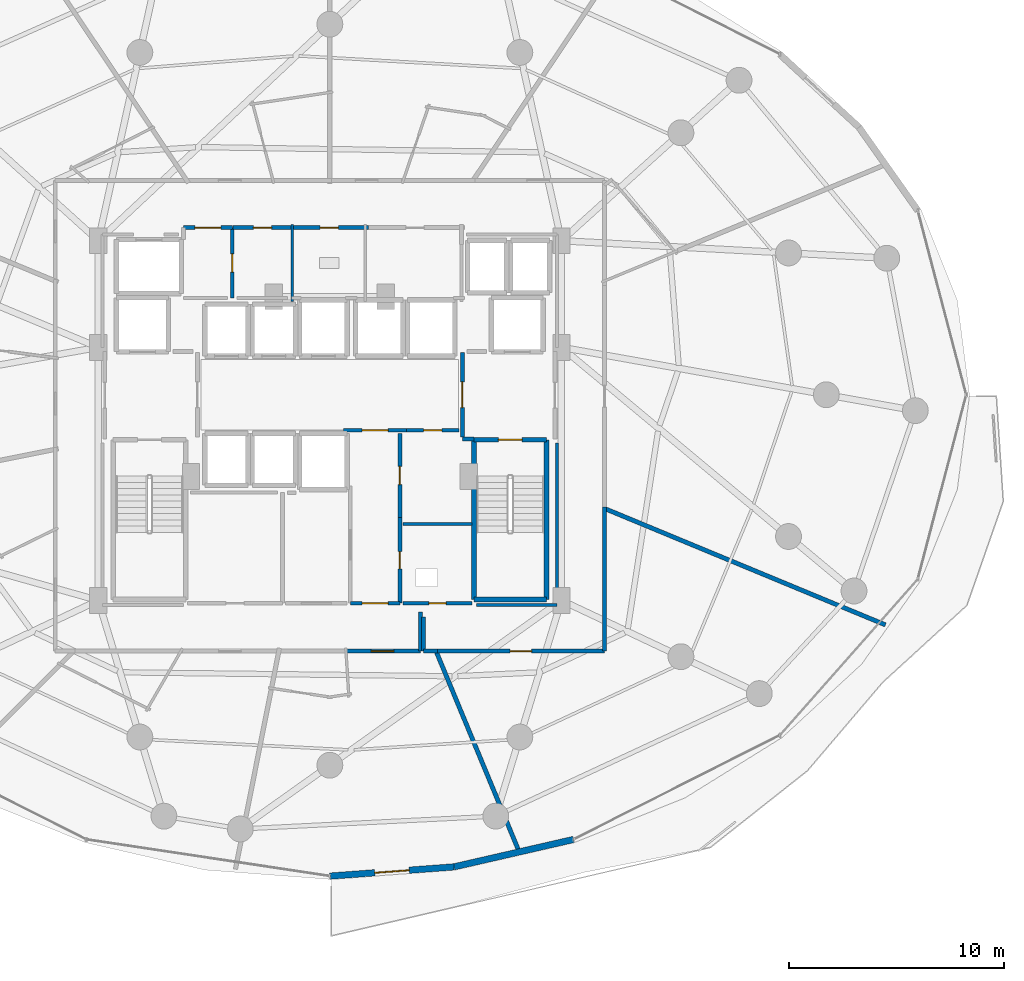
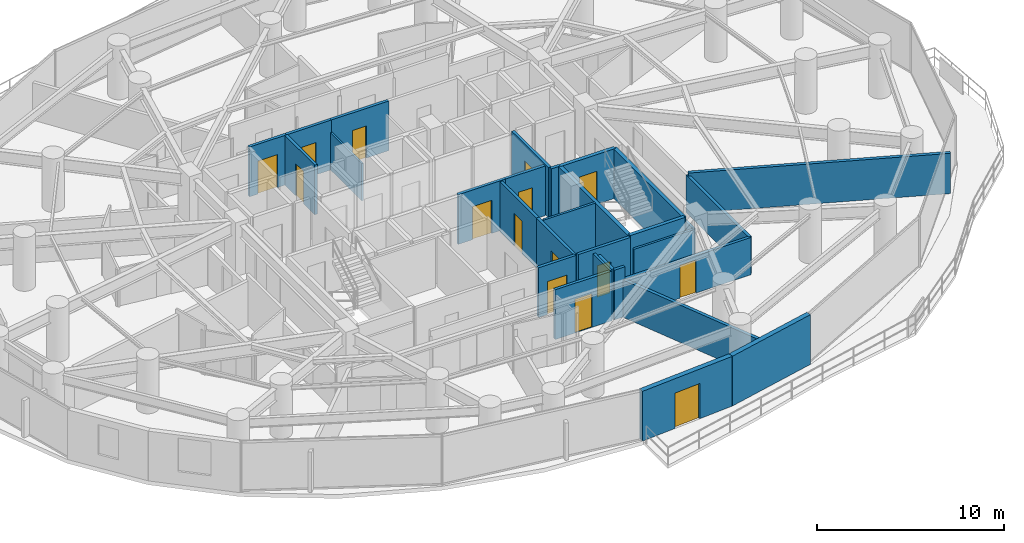
# One storey, part 29 of 35: 30 walls, 15 doors, 15 openings.
"""IFC4 building model written with IfcOpenShell, lengths in metres."""

from ifc_helpers import new_model, si_unit, direction, frame, frame_2d, origin, place, context, subcontext, project, spatial, rectangle, extrude, material, layer, layer_set, type_object, element, fill, save


model = new_model("IFC4")

# Units and contexts
model_context = context("Model", 3, precision=1e-05, world=origin(), true_north=direction((0.0, 1.0)))
body_context = subcontext(model_context, "Body", "Model", "MODEL_VIEW")
ifc_project = project(units=[si_unit("LENGTHUNIT", "METRE"), si_unit("AREAUNIT", "SQUARE_METRE"), si_unit("VOLUMEUNIT", "CUBIC_METRE"), si_unit("PLANEANGLEUNIT", "RADIAN"), si_unit("MASSUNIT", "GRAM", prefix="KILO")], contexts=[model_context])

# Site, building, storey
site_placement = place(None, origin())
site = spatial("IfcSite", under=ifc_project, at=site_placement, CompositionType="ELEMENT")
building_placement = place(site_placement, origin())
building = spatial("IfcBuilding", under=site, at=building_placement, Name="Vorneva Point Tower", CompositionType="ELEMENT")
storey_placement = place(building_placement, frame((0.0, 0.0, 48.5)))
storey = spatial("IfcBuildingStorey", under=building, at=storey_placement, Name="L12", CompositionType="ELEMENT", Elevation=48.5)

# Wall, opening, door
ifc_material_1 = material(Name="Precast concrete B50 (C40/50)", Category="concrete")
ifc_layer_1 = layer(ifc_material_1, 0.300048828125)
ifc_layer_set_1 = layer_set([ifc_layer_1], Name="Precast concrete B50 (C40/50)")
wall_type_1 = type_object("IfcWallType", Name="WL-EXT-300", PredefinedType="STANDARD", material=ifc_layer_set_1)
wall_1_placement = place(storey_placement, frame((38.0, 3.64990234375, 0.0), z_axis=(0.0, 0.0, 1.0), x_axis=(0.99723690101, 0.074287032943, 0.0)))
wall_1 = element("IfcWall", 1, at=wall_1_placement, inside=storey, type_object=wall_type_1, Name="L12 Pale-Metal Facade Spandrel Wall 13.1", PredefinedType="STANDARD", context=body_context, shape_type="SweptSolid", body=[
    extrude(rectangle(XDim=5.78076171875, YDim=0.300048828125, at=frame_2d((2.890380859375, 0.0))), origin(), (0.0, 0.0, 1.0), 3.239990234375),
])
opening_1_placement = place(wall_1_placement, frame((2.09033203125, 0.0, 0.0)))
opening_1 = element("IfcOpeningElement", 2, at=opening_1_placement, cuts=wall_1, Name="Opening BD-01", PredefinedType="OPENING", context=body_context, shape_type="SweptSolid", body=[
    extrude(rectangle(XDim=1.60009765625, YDim=2.300048828125, at=frame_2d((0.800048828125, 1.14990234375))), frame((0.0, 0.1650390625, 0.0), z_axis=(0.0, -1.0, 0.0), x_axis=(1.0, 0.0, 0.0)), (0.0, 0.0, 1.0), 0.329833984375),
])
ifc_material_2 = material(Name="Pale anodised aluminium", Category="aluminium")
door_type_1 = type_object("IfcDoorType", Name="DR-BAL-1600", OperationType="SLIDING_TO_LEFT", PredefinedType="DOOR", material=ifc_material_2)
door_1_placement = place(opening_1_placement, origin())
door_1 = element("IfcDoor", 3, at=door_1_placement, inside=storey, type_object=door_type_1, Name="L12 Balcony Terrace Access Door 13", OperationType="SLIDING_TO_LEFT", OverallHeight=2.300048828125, OverallWidth=1.60009765625, PredefinedType="DOOR", context=body_context, shape_type="SweptSolid", body=[
    extrude(rectangle(XDim=1.60009765625, YDim=2.300048828125, at=frame_2d((0.800048828125, 1.14990234375))), frame((0.0, 0.02490234375, 0.0), z_axis=(0.0, -1.0, 0.0), x_axis=(1.0, 0.0, 0.0)), (0.0, 0.0, 1.0), 0.050048828125),
])
fill(opening_1, door_1)

# Walls
wall_2_placement = place(storey_placement, frame((43.764892578125, 4.079345703125, 0.0), z_axis=(0.0, 0.0, 1.0), x_axis=(0.974671141646, 0.223642942305, 0.0)))
element("IfcWall", 4, at=wall_2_placement, inside=storey, type_object=wall_type_1, Name="L12 Pale-Metal Facade Spandrel Wall 13.2", PredefinedType="STANDARD", context=body_context, shape_type="SweptSolid", body=[
    extrude(rectangle(XDim=5.6875, YDim=0.300048828125, at=frame_2d((2.84375, 0.0))), origin(), (0.0, 0.0, 1.0), 3.239990234375),
])
ifc_material_3 = material(Name="Fire-rated acoustic gypsum stud partition", Category="gypsum")
ifc_layer_2 = layer(ifc_material_3, 0.110107421875)
ifc_layer_set_2 = layer_set([ifc_layer_2], Name="Fire-rated acoustic gypsum stud partition")
wall_type_2 = type_object("IfcWallType", Name="WL-PART-110", PredefinedType="PARTITIONING", material=ifc_layer_set_2)
wall_3_placement = place(storey_placement, frame((36.25, 30.340087890625, 0.0), z_axis=(0.0, 0.0, 1.0), x_axis=(0.0, 1.0, 0.0)))
element("IfcWall", 5, at=wall_3_placement, inside=storey, type_object=wall_type_2, Name="L12 Interior Partition 017", PredefinedType="PARTITIONING", context=body_context, shape_type="SweptSolid", body=[
    extrude(rectangle(XDim=3.559814453125, YDim=0.110107421875, at=frame_2d((1.77978515625, 0.0))), origin(), (0.0, 0.0, 1.0), 2.431884765625),
])
ifc_layer_3 = layer(ifc_material_3, 0.139892578125)
ifc_layer_set_3 = layer_set([ifc_layer_3], Name="Fire-rated acoustic gypsum stud partition")
wall_type_3 = type_object("IfcWallType", Name="WL-PART-140", PredefinedType="PARTITIONING", material=ifc_layer_set_3)
wall_4_placement = place(storey_placement, frame((44.60009765625, 20.0, 0.0), z_axis=(0.0, 0.0, 1.0), x_axis=(-1.0, 0.0, 0.0)))
element("IfcWall", 6, at=wall_4_placement, inside=storey, type_object=wall_type_3, Name="L12 Interior Partition 015", PredefinedType="PARTITIONING", context=body_context, shape_type="SweptSolid", body=[
    extrude(rectangle(XDim=3.2001953125, YDim=0.139892578125, at=frame_2d((1.60009765625, 0.0))), origin(), (0.0, 0.0, 1.0), 3.239990234375),
])
wall_5_placement = place(storey_placement, frame((48.550048828125, 23.75390625, 0.0), z_axis=(0.0, 0.0, 1.0), x_axis=(0.0, -1.0, 0.0)))
element("IfcWall", 7, at=wall_5_placement, inside=storey, type_object=wall_type_3, Name="L12 Interior Closure Partition 101", PredefinedType="PARTITIONING", context=body_context, shape_type="SweptSolid", body=[
    extrude(rectangle(XDim=7.513916015625, YDim=0.139892578125, at=frame_2d((3.7568359375, 0.0))), origin(), (0.0, 0.0, 1.0), 2.431884765625),
])
wall_6_placement = place(storey_placement, frame((48.550048828125, 16.239990234375, 0.0), z_axis=(0.0, 0.0, 1.0), x_axis=(-1.0, 0.0, 0.0)))
element("IfcWall", 8, at=wall_6_placement, inside=storey, type_object=wall_type_3, Name="L12 Interior Closure Partition 102", PredefinedType="PARTITIONING", context=body_context, shape_type="SweptSolid", body=[
    extrude(rectangle(XDim=3.7451171875, YDim=0.139892578125, at=frame_2d((1.87255859375, 0.0))), origin(), (0.0, 0.0, 1.0), 2.431884765625),
])

# Wall, opening, door
ifc_material_4 = material(Name="Autoclaved aerated concrete blockwork", Category="masonry")
ifc_layer_4 = layer(ifc_material_4, 0.179931640625)
ifc_layer_set_4 = layer_set([ifc_layer_4], Name="Autoclaved aerated concrete blockwork")
wall_type_4 = type_object("IfcWallType", Name="WL-PART-180", PredefinedType="PARTITIONING", material=ifc_layer_set_4)
wall_7_placement = place(storey_placement, frame((44.14990234375, 27.955078125, 0.0), z_axis=(0.0, 0.0, 1.0), x_axis=(0.0, -1.0, 0.0)))
wall_7 = element("IfcWall", 9, at=wall_7_placement, inside=storey, type_object=wall_type_4, Name="L12 Interior Partition 003", PredefinedType="PARTITIONING", context=body_context, shape_type="SweptSolid", body=[
    extrude(rectangle(XDim=3.91015625, YDim=0.179931640625, at=frame_2d((1.955078125, 0.0))), origin(), (0.0, 0.0, 1.0), 3.239990234375),
])
opening_2_placement = place(wall_7_placement, frame((1.35498046875, 0.0, 0.0)))
opening_2 = element("IfcOpeningElement", 10, at=opening_2_placement, cuts=wall_7, Name="Opening FD-02", PredefinedType="OPENING", context=body_context, shape_type="SweptSolid", body=[
    extrude(rectangle(XDim=1.199951171875, YDim=2.14990234375, at=frame_2d((0.60009765625, 1.074951171875))), frame((0.0, 0.10498046875, 0.0), z_axis=(0.0, -1.0, 0.0), x_axis=(1.0, 0.0, 0.0)), (0.0, 0.0, 1.0), 0.209716796875),
])
ifc_material_5 = material(Name="Fire-rated powder-coated steel", Category="steel")
door_type_2 = type_object("IfcDoorType", Name="DR-FFL-1200", OperationType="NOTDEFINED", PredefinedType="DOOR", material=ifc_material_5)
door_2_placement = place(opening_2_placement, origin())
door_2 = element("IfcDoor", 11, at=door_2_placement, inside=storey, type_object=door_type_2, Name="L12 Door East Firefighting Lobby / Central Lift Lobby", OperationType="SINGLE_SWING_RIGHT", OverallHeight=2.14990234375, OverallWidth=1.199951171875, PredefinedType="DOOR", context=body_context, shape_type="SweptSolid", body=[
    extrude(rectangle(XDim=1.199951171875, YDim=2.14990234375, at=frame_2d((0.60009765625, 1.074951171875))), frame((0.0, 0.02490234375, 0.0), z_axis=(0.0, -1.0, 0.0), x_axis=(1.0, 0.0, 0.0)), (0.0, 0.0, 1.0), 0.050048828125),
])
fill(opening_2, door_2)

# Wall
wall_8_placement = place(storey_placement, frame((44.14990234375, 23.949951171875, 0.0), z_axis=(0.0, 0.0, 1.0), x_axis=(1.0, 0.0, 0.0)))
element("IfcWall", 12, at=wall_8_placement, inside=storey, type_object=wall_type_4, Name="L12 Interior Partition 004", PredefinedType="PARTITIONING", context=body_context, shape_type="SweptSolid", body=[
    extrude(rectangle(XDim=0.5400390625, YDim=0.179931640625, at=frame_2d((0.27001953125, 0.0))), origin(), (0.0, 0.0, 1.0), 3.239990234375),
])

# Wall, opening, door
wall_9_placement = place(storey_placement, frame((33.469970703125, 30.47998046875, 0.0), z_axis=(0.0, 0.0, 1.0), x_axis=(0.0, 1.0, 0.0)))
wall_9 = element("IfcWall", 13, at=wall_9_placement, inside=storey, type_object=wall_type_4, Name="L12 Interior Partition 006", PredefinedType="PARTITIONING", context=body_context, shape_type="SweptSolid", body=[
    extrude(rectangle(XDim=3.280029296875, YDim=0.179931640625, at=frame_2d((1.64013671875, 0.0))), origin(), (0.0, 0.0, 1.0), 3.239990234375),
])
opening_3_placement = place(wall_9_placement, frame((1.215087890625, 0.0, 0.0)))
opening_3 = element("IfcOpeningElement", 14, at=opening_3_placement, cuts=wall_9, Name="Opening ID-02", PredefinedType="OPENING", context=body_context, shape_type="SweptSolid", body=[
    extrude(rectangle(XDim=0.85009765625, YDim=2.10009765625, at=frame_2d((0.425048828125, 1.050048828125))), frame((0.0, 0.10498046875, 0.0), z_axis=(0.0, -1.0, 0.0), x_axis=(1.0, 0.0, 0.0)), (0.0, 0.0, 1.0), 0.209716796875),
])
ifc_material_6 = material(Name="Engineered oak fire-rated door leaf", Category="wood")
door_type_3 = type_object("IfcDoorType", Name="DR-BATH-850", OperationType="NOTDEFINED", PredefinedType="DOOR", material=ifc_material_6)
door_3_placement = place(opening_3_placement, origin())
door_3 = element("IfcDoor", 15, at=door_3_placement, inside=storey, type_object=door_type_3, Name="L12 Door Service Lift Lobby / Core Supply Store", OperationType="SINGLE_SWING_RIGHT", OverallHeight=2.10009765625, OverallWidth=0.85009765625, PredefinedType="DOOR", context=body_context, shape_type="SweptSolid", body=[
    extrude(rectangle(XDim=0.85009765625, YDim=2.10009765625, at=frame_2d((0.425048828125, 1.050048828125))), frame((0.0, 0.02490234375, 0.0), z_axis=(0.0, -1.0, 0.0), x_axis=(1.0, 0.0, 0.0)), (0.0, 0.0, 1.0), 0.050048828125),
])
fill(opening_3, door_3)

wall_10_placement = place(storey_placement, frame((33.469970703125, 33.760009765625, 0.0), z_axis=(0.0, 0.0, 1.0), x_axis=(-1.0, 0.0, 0.0)))
wall_10 = element("IfcWall", 16, at=wall_10_placement, inside=storey, type_object=wall_type_4, Name="L12 Interior Partition 007", PredefinedType="PARTITIONING", context=body_context, shape_type="SweptSolid", body=[
    extrude(rectangle(XDim=2.27001953125, YDim=0.179931640625, at=frame_2d((1.135009765625, 0.0))), origin(), (0.0, 0.0, 1.0), 3.239990234375),
])
opening_4_placement = place(wall_10_placement, frame((0.534912109375, 0.0, 0.0)))
opening_4 = element("IfcOpeningElement", 17, at=opening_4_placement, cuts=wall_10, Name="Opening FD-02", PredefinedType="OPENING", context=body_context, shape_type="SweptSolid", body=[
    extrude(rectangle(XDim=1.199951171875, YDim=2.14990234375, at=frame_2d((0.60009765625, 1.074951171875))), frame((0.0, 0.10498046875, 0.0), z_axis=(0.0, -1.0, 0.0), x_axis=(1.0, 0.0, 0.0)), (0.0, 0.0, 1.0), 0.209716796875),
])
door_4_placement = place(opening_4_placement, origin())
door_4 = element("IfcDoor", 18, at=door_4_placement, inside=storey, type_object=door_type_2, Name="L12 Door Service Lift Lobby / L12 Circulation Corridor", OperationType="SINGLE_SWING_LEFT", OverallHeight=2.14990234375, OverallWidth=1.199951171875, PredefinedType="DOOR", context=body_context, shape_type="SweptSolid", body=[
    extrude(rectangle(XDim=1.199951171875, YDim=2.14990234375, at=frame_2d((0.60009765625, 1.074951171875))), frame((0.0, 0.02490234375, 0.0), z_axis=(0.0, -1.0, 0.0), x_axis=(1.0, 0.0, 0.0)), (0.0, 0.0, 1.0), 0.050048828125),
])
fill(opening_4, door_4)

wall_11_placement = place(storey_placement, frame((38.64501953125, 24.35009765625, 0.0), z_axis=(0.0, 0.0, 1.0), x_axis=(1.0, 0.0, 0.0)))
wall_11 = element("IfcWall", 19, at=wall_11_placement, inside=storey, type_object=wall_type_4, Name="L12 Interior Partition 009", PredefinedType="PARTITIONING", context=body_context, shape_type="SweptSolid", body=[
    extrude(rectangle(XDim=2.909912109375, YDim=0.179931640625, at=frame_2d((1.455078125, 0.0))), origin(), (0.0, 0.0, 1.0), 3.239990234375),
])
opening_5_placement = place(wall_11_placement, frame((0.85498046875, 0.0, 0.0)))
opening_5 = element("IfcOpeningElement", 20, at=opening_5_placement, cuts=wall_11, Name="Opening FD-02", PredefinedType="OPENING", context=body_context, shape_type="SweptSolid", body=[
    extrude(rectangle(XDim=1.199951171875, YDim=2.14990234375, at=frame_2d((0.60009765625, 1.074951171875))), frame((0.0, 0.10498046875, 0.0), z_axis=(0.0, -1.0, 0.0), x_axis=(1.0, 0.0, 0.0)), (0.0, 0.0, 1.0), 0.209716796875),
])
door_5_placement = place(opening_5_placement, origin())
door_5 = element("IfcDoor", 21, at=door_5_placement, inside=storey, type_object=door_type_2, Name="L12 Door Central Lift Lobby / Core Service Lobby", OperationType="SINGLE_SWING_RIGHT", OverallHeight=2.14990234375, OverallWidth=1.199951171875, PredefinedType="DOOR", context=body_context, shape_type="SweptSolid", body=[
    extrude(rectangle(XDim=1.199951171875, YDim=2.14990234375, at=frame_2d((0.60009765625, 1.074951171875))), frame((0.0, 0.02490234375, 0.0), z_axis=(0.0, -1.0, 0.0), x_axis=(1.0, 0.0, 0.0)), (0.0, 0.0, 1.0), 0.050048828125),
])
fill(opening_5, door_5)

wall_12_placement = place(storey_placement, frame((41.554931640625, 24.35009765625, 0.0), z_axis=(0.0, 0.0, 1.0), x_axis=(1.0, 0.0, 0.0)))
wall_12 = element("IfcWall", 22, at=wall_12_placement, inside=storey, type_object=wall_type_4, Name="L12 Interior Partition 010", PredefinedType="PARTITIONING", context=body_context, shape_type="SweptSolid", body=[
    extrude(rectangle(XDim=2.445068359375, YDim=0.179931640625, at=frame_2d((1.22265625, 0.0))), origin(), (0.0, 0.0, 1.0), 3.239990234375),
])
opening_6_placement = place(wall_12_placement, frame((0.797607421875, 0.0, 0.0)))
opening_6 = element("IfcOpeningElement", 23, at=opening_6_placement, cuts=wall_12, Name="Opening ID-02", PredefinedType="OPENING", context=body_context, shape_type="SweptSolid", body=[
    extrude(rectangle(XDim=0.85009765625, YDim=2.10009765625, at=frame_2d((0.425048828125, 1.050048828125))), frame((0.0, 0.10498046875, 0.0), z_axis=(0.0, -1.0, 0.0), x_axis=(1.0, 0.0, 0.0)), (0.0, 0.0, 1.0), 0.209716796875),
])
door_6_placement = place(opening_6_placement, origin())
door_6 = element("IfcDoor", 24, at=door_6_placement, inside=storey, type_object=door_type_3, Name="L12 Door Central Lift Lobby / Valet and Parcel Room", OperationType="SINGLE_SWING_LEFT", OverallHeight=2.10009765625, OverallWidth=0.85009765625, PredefinedType="DOOR", context=body_context, shape_type="SweptSolid", body=[
    extrude(rectangle(XDim=0.85009765625, YDim=2.10009765625, at=frame_2d((0.425048828125, 1.050048828125))), frame((0.0, 0.02490234375, 0.0), z_axis=(0.0, -1.0, 0.0), x_axis=(1.0, 0.0, 0.0)), (0.0, 0.0, 1.0), 0.050048828125),
])
fill(opening_6, door_6)

wall_13_placement = place(storey_placement, frame((41.25, 16.320068359375, 0.0), z_axis=(0.0, 0.0, 1.0), x_axis=(0.0, 1.0, 0.0)))
wall_13 = element("IfcWall", 25, at=wall_13_placement, inside=storey, type_object=wall_type_4, Name="L12 Interior Partition 011", PredefinedType="PARTITIONING", context=body_context, shape_type="SweptSolid", body=[
    extrude(rectangle(XDim=3.98486328125, YDim=0.179931640625, at=frame_2d((1.992431640625, 0.0))), origin(), (0.0, 0.0, 1.0), 3.239990234375),
])
opening_7_placement = place(wall_13_placement, frame((1.592529296875, 0.0, 0.0)))
opening_7 = element("IfcOpeningElement", 26, at=opening_7_placement, cuts=wall_13, Name="Opening RD-01", PredefinedType="OPENING", context=body_context, shape_type="SweptSolid", body=[
    extrude(rectangle(XDim=0.800048828125, YDim=2.050048828125, at=frame_2d((0.39990234375, 1.02490234375))), frame((0.0, 0.10498046875, 0.0), z_axis=(0.0, -1.0, 0.0), x_axis=(1.0, 0.0, 0.0)), (0.0, 0.0, 1.0), 0.209716796875),
])
door_type_4 = type_object("IfcDoorType", Name="DR-RSR-800", OperationType="SINGLE_SWING_LEFT", PredefinedType="DOOR", material=ifc_material_5)
door_7_placement = place(opening_7_placement, origin())
door_7 = element("IfcDoor", 27, at=door_7_placement, inside=storey, type_object=door_type_4, Name="L12 Door Core Service Lobby / Electrical Riser", OperationType="SINGLE_SWING_RIGHT", OverallHeight=2.050048828125, OverallWidth=0.800048828125, PredefinedType="DOOR", context=body_context, shape_type="SweptSolid", body=[
    extrude(rectangle(XDim=0.800048828125, YDim=2.050048828125, at=frame_2d((0.39990234375, 1.02490234375))), frame((0.0, 0.02490234375, 0.0), z_axis=(0.0, -1.0, 0.0), x_axis=(1.0, 0.0, 0.0)), (0.0, 0.0, 1.0), 0.050048828125),
])
fill(opening_7, door_7)

wall_14_placement = place(storey_placement, frame((41.25, 20.304931640625, 0.0), z_axis=(0.0, 0.0, 1.0), x_axis=(0.0, 1.0, 0.0)))
wall_14 = element("IfcWall", 28, at=wall_14_placement, inside=storey, type_object=wall_type_4, Name="L12 Interior Partition 012", PredefinedType="PARTITIONING", context=body_context, shape_type="SweptSolid", body=[
    extrude(rectangle(XDim=3.89501953125, YDim=0.179931640625, at=frame_2d((1.947509765625, 0.0))), origin(), (0.0, 0.0, 1.0), 3.239990234375),
])
opening_8_placement = place(wall_14_placement, frame((1.5224609375, 0.0, 0.0)))
opening_8 = element("IfcOpeningElement", 29, at=opening_8_placement, cuts=wall_14, Name="Opening ID-02", PredefinedType="OPENING", context=body_context, shape_type="SweptSolid", body=[
    extrude(rectangle(XDim=0.85009765625, YDim=2.10009765625, at=frame_2d((0.425048828125, 1.050048828125))), frame((0.0, 0.10498046875, 0.0), z_axis=(0.0, -1.0, 0.0), x_axis=(1.0, 0.0, 0.0)), (0.0, 0.0, 1.0), 0.209716796875),
])
door_8_placement = place(opening_8_placement, origin())
door_8 = element("IfcDoor", 30, at=door_8_placement, inside=storey, type_object=door_type_3, Name="L12 Door Core Service Lobby / Valet and Parcel Room", OperationType="SINGLE_SWING_LEFT", OverallHeight=2.10009765625, OverallWidth=0.85009765625, PredefinedType="DOOR", context=body_context, shape_type="SweptSolid", body=[
    extrude(rectangle(XDim=0.85009765625, YDim=2.10009765625, at=frame_2d((0.425048828125, 1.050048828125))), frame((0.0, 0.02490234375, 0.0), z_axis=(0.0, -1.0, 0.0), x_axis=(1.0, 0.0, 0.0)), (0.0, 0.0, 1.0), 0.050048828125),
])
fill(opening_8, door_8)

wall_15_placement = place(storey_placement, frame((38.949951171875, 16.320068359375, 0.0), z_axis=(0.0, 0.0, 1.0), x_axis=(1.0, 0.0, 0.0)))
wall_15 = element("IfcWall", 31, at=wall_15_placement, inside=storey, type_object=wall_type_4, Name="L12 Interior Partition 014", PredefinedType="PARTITIONING", context=body_context, shape_type="SweptSolid", body=[
    extrude(rectangle(XDim=2.300048828125, YDim=0.179931640625, at=frame_2d((1.14990234375, 0.0))), origin(), (0.0, 0.0, 1.0), 3.239990234375),
])
opening_9_placement = place(wall_15_placement, frame((0.550048828125, 0.0, 0.0)))
opening_9 = element("IfcOpeningElement", 32, at=opening_9_placement, cuts=wall_15, Name="Opening FD-02", PredefinedType="OPENING", context=body_context, shape_type="SweptSolid", body=[
    extrude(rectangle(XDim=1.199951171875, YDim=2.14990234375, at=frame_2d((0.60009765625, 1.074951171875))), frame((0.0, 0.10498046875, 0.0), z_axis=(0.0, -1.0, 0.0), x_axis=(1.0, 0.0, 0.0)), (0.0, 0.0, 1.0), 0.209716796875),
])
door_9_placement = place(opening_9_placement, origin())
door_9 = element("IfcDoor", 33, at=door_9_placement, inside=storey, type_object=door_type_2, Name="L12 Door Core Service Lobby / L12 Circulation Corridor", OperationType="SINGLE_SWING_LEFT", OverallHeight=2.14990234375, OverallWidth=1.199951171875, PredefinedType="DOOR", context=body_context, shape_type="SweptSolid", body=[
    extrude(rectangle(XDim=1.199951171875, YDim=2.14990234375, at=frame_2d((0.60009765625, 1.074951171875))), frame((0.0, 0.02490234375, 0.0), z_axis=(0.0, -1.0, 0.0), x_axis=(1.0, 0.0, 0.0)), (0.0, 0.0, 1.0), 0.050048828125),
])
fill(opening_9, door_9)

wall_16_placement = place(storey_placement, frame((41.39990234375, 16.320068359375, 0.0), z_axis=(0.0, 0.0, 1.0), x_axis=(1.0, 0.0, 0.0)))
wall_16 = element("IfcWall", 34, at=wall_16_placement, inside=storey, type_object=wall_type_4, Name="L12 Interior Partition 016", PredefinedType="PARTITIONING", context=body_context, shape_type="SweptSolid", body=[
    extrude(rectangle(XDim=3.2001953125, YDim=0.179931640625, at=frame_2d((1.60009765625, 0.0))), origin(), (0.0, 0.0, 1.0), 3.239990234375),
])
opening_10_placement = place(wall_16_placement, frame((1.199951171875, 0.0, 0.0)))
opening_10 = element("IfcOpeningElement", 35, at=opening_10_placement, cuts=wall_16, Name="Opening RD-01", PredefinedType="OPENING", context=body_context, shape_type="SweptSolid", body=[
    extrude(rectangle(XDim=0.800048828125, YDim=2.050048828125, at=frame_2d((0.39990234375, 1.02490234375))), frame((0.0, 0.10498046875, 0.0), z_axis=(0.0, -1.0, 0.0), x_axis=(1.0, 0.0, 0.0)), (0.0, 0.0, 1.0), 0.209716796875),
])
door_10_placement = place(opening_10_placement, origin())
door_10 = element("IfcDoor", 36, at=door_10_placement, inside=storey, type_object=door_type_4, Name="L12 Door Electrical Riser / L12 Circulation Corridor", OperationType="SINGLE_SWING_RIGHT", OverallHeight=2.050048828125, OverallWidth=0.800048828125, PredefinedType="DOOR", context=body_context, shape_type="SweptSolid", body=[
    extrude(rectangle(XDim=0.800048828125, YDim=2.050048828125, at=frame_2d((0.39990234375, 1.02490234375))), frame((0.0, 0.02490234375, 0.0), z_axis=(0.0, -1.0, 0.0), x_axis=(1.0, 0.0, 0.0)), (0.0, 0.0, 1.0), 0.050048828125),
])
fill(opening_10, door_10)

wall_17_placement = place(storey_placement, frame((36.25, 33.760009765625, 0.0), z_axis=(0.0, 0.0, 1.0), x_axis=(-1.0, 0.0, 0.0)))
wall_17 = element("IfcWall", 37, at=wall_17_placement, inside=storey, type_object=wall_type_4, Name="L12 Interior Partition 018", PredefinedType="PARTITIONING", context=body_context, shape_type="SweptSolid", body=[
    extrude(rectangle(XDim=2.75, YDim=0.179931640625, at=frame_2d((1.375, 0.0))), origin(), (0.0, 0.0, 1.0), 3.239990234375),
])
opening_11_placement = place(wall_17_placement, frame((0.949951171875, 0.0, 0.0)))
opening_11 = element("IfcOpeningElement", 38, at=opening_11_placement, cuts=wall_17, Name="Opening ID-02", PredefinedType="OPENING", context=body_context, shape_type="SweptSolid", body=[
    extrude(rectangle(XDim=0.85009765625, YDim=2.10009765625, at=frame_2d((0.425048828125, 1.050048828125))), frame((0.0, 0.10498046875, 0.0), z_axis=(0.0, -1.0, 0.0), x_axis=(1.0, 0.0, 0.0)), (0.0, 0.0, 1.0), 0.209716796875),
])
door_11_placement = place(opening_11_placement, origin())
door_11 = element("IfcDoor", 39, at=door_11_placement, inside=storey, type_object=door_type_3, Name="L12 Door Core Supply Store / L12 Circulation Corridor", OperationType="SINGLE_SWING_LEFT", OverallHeight=2.10009765625, OverallWidth=0.85009765625, PredefinedType="DOOR", context=body_context, shape_type="SweptSolid", body=[
    extrude(rectangle(XDim=0.85009765625, YDim=2.10009765625, at=frame_2d((0.425048828125, 1.050048828125))), frame((0.0, 0.02490234375, 0.0), z_axis=(0.0, -1.0, 0.0), x_axis=(1.0, 0.0, 0.0)), (0.0, 0.0, 1.0), 0.050048828125),
])
fill(opening_11, door_11)

wall_18_placement = place(storey_placement, frame((39.7900390625, 33.760009765625, 0.0), z_axis=(0.0, 0.0, 1.0), x_axis=(-1.0, 0.0, 0.0)))
wall_18 = element("IfcWall", 40, at=wall_18_placement, inside=storey, type_object=wall_type_4, Name="L12 Interior Partition 020", PredefinedType="PARTITIONING", context=body_context, shape_type="SweptSolid", body=[
    extrude(rectangle(XDim=3.630126953125, YDim=0.179931640625, at=frame_2d((1.81494140625, 0.0))), origin(), (0.0, 0.0, 1.0), 3.239990234375),
])
opening_12_placement = place(wall_18_placement, frame((1.389892578125, 0.0, 0.0)))
opening_12 = element("IfcOpeningElement", 41, at=opening_12_placement, cuts=wall_18, Name="Opening ID-02", PredefinedType="OPENING", context=body_context, shape_type="SweptSolid", body=[
    extrude(rectangle(XDim=0.85009765625, YDim=2.10009765625, at=frame_2d((0.425048828125, 1.050048828125))), frame((0.0, 0.10498046875, 0.0), z_axis=(0.0, -1.0, 0.0), x_axis=(1.0, 0.0, 0.0)), (0.0, 0.0, 1.0), 0.209716796875),
])
door_12_placement = place(opening_12_placement, origin())
door_12 = element("IfcDoor", 42, at=door_12_placement, inside=storey, type_object=door_type_3, Name="L12 Door Accessible WC / L12 Circulation Corridor", OperationType="SINGLE_SWING_RIGHT", OverallHeight=2.10009765625, OverallWidth=0.85009765625, PredefinedType="DOOR", context=body_context, shape_type="SweptSolid", body=[
    extrude(rectangle(XDim=0.85009765625, YDim=2.10009765625, at=frame_2d((0.425048828125, 1.050048828125))), frame((0.0, 0.02490234375, 0.0), z_axis=(0.0, -1.0, 0.0), x_axis=(1.0, 0.0, 0.0)), (0.0, 0.0, 1.0), 0.050048828125),
])
fill(opening_12, door_12)

# Walls
wall_19_placement = place(storey_placement, frame((42.340087890625, 15.678955078125, 0.0), z_axis=(0.0, 0.0, 1.0), x_axis=(0.0, -1.0, 0.0)))
element("IfcWall", 43, at=wall_19_placement, inside=storey, type_object=wall_type_4, Name="L12 Interior Partition 042", PredefinedType="PARTITIONING", context=body_context, shape_type="SweptSolid", body=[
    extrude(rectangle(XDim=1.578857421875, YDim=0.179931640625, at=frame_2d((0.78955078125, 0.0))), origin(), (0.0, 0.0, 1.0), 3.239990234375),
])
wall_20_placement = place(storey_placement, frame((42.340087890625, 14.10009765625, 0.0), z_axis=(0.0, 0.0, 1.0), x_axis=(1.0, 0.0, 0.0)))
element("IfcWall", 44, at=wall_20_placement, inside=storey, type_object=wall_type_4, Name="L12 Interior Partition 043", PredefinedType="PARTITIONING", context=body_context, shape_type="SweptSolid", body=[
    extrude(rectangle(XDim=0.65380859375, YDim=0.179931640625, at=frame_2d((0.326904296875, 0.0))), origin(), (0.0, 0.0, 1.0), 3.239990234375),
])

# Wall, opening, door
wall_21_placement = place(storey_placement, frame((38.68896484375, 14.10009765625, 0.0), z_axis=(0.0, 0.0, 1.0), x_axis=(1.0, 0.0, 0.0)))
wall_21 = element("IfcWall", 45, at=wall_21_placement, inside=storey, type_object=wall_type_4, Name="L12 Interior Partition 044", PredefinedType="PARTITIONING", context=body_context, shape_type="SweptSolid", body=[
    extrude(rectangle(XDim=3.510986328125, YDim=0.179931640625, at=frame_2d((1.75537109375, 0.0))), origin(), (0.0, 0.0, 1.0), 3.239990234375),
])
opening_13_placement = place(wall_21_placement, frame((1.23046875, 0.0, 0.0)))
opening_13 = element("IfcOpeningElement", 46, at=opening_13_placement, cuts=wall_21, Name="Opening UD-02", PredefinedType="OPENING", context=body_context, shape_type="SweptSolid", body=[
    extrude(rectangle(XDim=1.050048828125, YDim=2.199951171875, at=frame_2d((0.52490234375, 1.10009765625))), frame((0.0, 0.10498046875, 0.0), z_axis=(0.0, -1.0, 0.0), x_axis=(1.0, 0.0, 0.0)), (0.0, 0.0, 1.0), 0.209716796875),
])
door_type_5 = type_object("IfcDoorType", Name="DR-SUITE-1050", OperationType="NOTDEFINED", PredefinedType="DOOR", material=ifc_material_6)
door_13_placement = place(opening_13_placement, origin())
door_13 = element("IfcDoor", 47, at=door_13_placement, inside=storey, type_object=door_type_5, Name="L12 Door L12 Circulation Corridor / Junior Suite L12-08", OperationType="SINGLE_SWING_LEFT", OverallHeight=2.199951171875, OverallWidth=1.050048828125, PredefinedType="DOOR", context=body_context, shape_type="SweptSolid", body=[
    extrude(rectangle(XDim=1.050048828125, YDim=2.199951171875, at=frame_2d((0.52490234375, 1.10009765625))), frame((0.0, 0.02490234375, 0.0), z_axis=(0.0, -1.0, 0.0), x_axis=(1.0, 0.0, 0.0)), (0.0, 0.0, 1.0), 0.050048828125),
])
fill(opening_13, door_13)

# Wall
wall_22_placement = place(storey_placement, frame((42.199951171875, 14.10009765625, 0.0), z_axis=(0.0, 0.0, 1.0), x_axis=(0.0, 1.0, 0.0)))
element("IfcWall", 48, at=wall_22_placement, inside=storey, type_object=wall_type_4, Name="L12 Interior Partition 045", PredefinedType="PARTITIONING", context=body_context, shape_type="SweptSolid", body=[
    extrude(rectangle(XDim=1.81982421875, YDim=0.179931640625, at=frame_2d((0.909912109375, 0.0))), origin(), (0.0, 0.0, 1.0), 3.239990234375),
])

# Wall, opening, door
wall_23_placement = place(storey_placement, frame((42.993896484375, 14.10009765625, 0.0), z_axis=(0.0, 0.0, 1.0), x_axis=(1.0, 0.0, 0.0)))
wall_23 = element("IfcWall", 49, at=wall_23_placement, inside=storey, type_object=wall_type_4, Name="L12 Interior Partition 047", PredefinedType="PARTITIONING", context=body_context, shape_type="SweptSolid", body=[
    extrude(rectangle(XDim=7.756103515625, YDim=0.179931640625, at=frame_2d((3.8779296875, 0.0))), origin(), (0.0, 0.0, 1.0), 2.431884765625),
])
opening_14_placement = place(wall_23_placement, frame((3.3779296875, 0.0, 0.0)))
opening_14 = element("IfcOpeningElement", 50, at=opening_14_placement, cuts=wall_23, Name="Opening UD-01", PredefinedType="OPENING", context=body_context, shape_type="SweptSolid", body=[
    extrude(rectangle(XDim=1.0, YDim=2.14990234375, at=frame_2d((0.5, 1.074951171875))), frame((0.0, 0.10498046875, 0.0), z_axis=(0.0, -1.0, 0.0), x_axis=(1.0, 0.0, 0.0)), (0.0, 0.0, 1.0), 0.209716796875),
])
door_type_6 = type_object("IfcDoorType", Name="DR-UNIT-1000", OperationType="NOTDEFINED", PredefinedType="DOOR", material=ifc_material_6)
door_14_placement = place(opening_14_placement, origin())
door_14 = element("IfcDoor", 51, at=door_14_placement, inside=storey, type_object=door_type_6, Name="L12 Door L12 Circulation Corridor / Hotel Club Lounge L12-09", OperationType="SINGLE_SWING_RIGHT", OverallHeight=2.14990234375, OverallWidth=1.0, PredefinedType="DOOR", context=body_context, shape_type="SweptSolid", body=[
    extrude(rectangle(XDim=1.0, YDim=2.14990234375, at=frame_2d((0.5, 1.074951171875))), frame((0.0, 0.02490234375, 0.0), z_axis=(0.0, -1.0, 0.0), x_axis=(1.0, 0.0, 0.0)), (0.0, 0.0, 1.0), 0.050048828125),
])
fill(opening_14, door_14)

# Walls
wall_24_placement = place(storey_placement, frame((50.75, 14.10009765625, 0.0), z_axis=(0.0, 0.0, 1.0), x_axis=(0.0, 1.0, 0.0)))
element("IfcWall", 52, at=wall_24_placement, inside=storey, type_object=wall_type_4, Name="L12 Interior Partition 048", PredefinedType="PARTITIONING", context=body_context, shape_type="SweptSolid", body=[
    extrude(rectangle(XDim=6.678955078125, YDim=0.179931640625, at=frame_2d((3.33935546875, 0.0))), origin(), (0.0, 0.0, 1.0), 2.431884765625),
])
ifc_layer_5 = layer(ifc_material_4, 0.199951171875)
ifc_layer_set_5 = layer_set([ifc_layer_5], Name="Autoclaved aerated concrete blockwork")
wall_type_5 = type_object("IfcWallType", Name="WL-PART-200", PredefinedType="PARTITIONING", material=ifc_layer_set_5)
wall_25_placement = place(storey_placement, frame((46.7919921875, 4.77490234375, 0.0), z_axis=(0.0, 0.0, 1.0), x_axis=(-0.382718503749, 0.923865004689, 0.0)))
element("IfcWall", 53, at=wall_25_placement, inside=storey, type_object=wall_type_5, Name="L12 Interior Partition 087", PredefinedType="PARTITIONING", context=body_context, shape_type="SweptSolid", body=[
    extrude(rectangle(XDim=10.09375, YDim=0.199951171875, at=frame_2d((5.046875, 0.0))), origin(), (0.0, 0.0, 1.0), 2.431884765625),
])
wall_26_placement = place(storey_placement, frame((63.79296875, 15.31591796875, 0.0), z_axis=(0.0, 0.0, 1.0), x_axis=(-0.923866969846, 0.382713759914, 0.0)))
element("IfcWall", 54, at=wall_26_placement, inside=storey, type_object=wall_type_5, Name="L12 Interior Partition 088", PredefinedType="PARTITIONING", context=body_context, shape_type="SweptSolid", body=[
    extrude(rectangle(XDim=14.117919921875, YDim=0.199951171875, at=frame_2d((7.05908203125, 0.0))), origin(), (0.0, 0.0, 1.0), 2.6240234375),
])

# Wall, opening, door
ifc_material_7 = material(Name="Concrete B50 (C40/50)", Category="concrete")
ifc_layer_6 = layer(ifc_material_7, 0.219970703125)
ifc_layer_set_6 = layer_set([ifc_layer_6], Name="Concrete B50 (C40/50)")
wall_type_6 = type_object("IfcWallType", Name="WL-SHFT-220", PredefinedType="SOLIDWALL", material=ifc_layer_set_6)
wall_27_placement = place(storey_placement, frame((44.68994140625, 23.909912109375, 0.0), z_axis=(0.0, 0.0, 1.0), x_axis=(1.0, 0.0, 0.0)))
wall_27 = element("IfcWall", 55, at=wall_27_placement, inside=storey, type_object=wall_type_6, Name="L12 Exit Stair ST2 Shaft Wall near", PredefinedType="SOLIDWALL", context=body_context, shape_type="SweptSolid", body=[
    extrude(rectangle(XDim=3.3701171875, YDim=0.219970703125, at=frame_2d((1.68505859375, 0.0))), origin(), (0.0, 0.0, 1.0), 3.239990234375),
])
opening_15_placement = place(wall_27_placement, frame((1.135009765625, 0.0, 0.0)))
opening_15 = element("IfcOpeningElement", 56, at=opening_15_placement, cuts=wall_27, Name="Opening FD-01", PredefinedType="OPENING", context=body_context, shape_type="SweptSolid", body=[
    extrude(rectangle(XDim=1.10009765625, YDim=2.14990234375, at=frame_2d((0.550048828125, 1.074951171875))), frame((0.0, 0.125, 0.0), z_axis=(0.0, -1.0, 0.0), x_axis=(1.0, 0.0, 0.0)), (0.0, 0.0, 1.0), 0.249755859375),
])
door_type_7 = type_object("IfcDoorType", Name="DR-STAIR-1100", OperationType="NOTDEFINED", PredefinedType="DOOR", material=ifc_material_5)
door_15_placement = place(opening_15_placement, origin())
door_15 = element("IfcDoor", 57, at=door_15_placement, inside=storey, type_object=door_type_7, Name="L12 Exit Stair ST2 Fire Door", OperationType="SINGLE_SWING_LEFT", OverallHeight=2.14990234375, OverallWidth=1.10009765625, PredefinedType="DOOR", context=body_context, shape_type="SweptSolid", body=[
    extrude(rectangle(XDim=1.10009765625, YDim=2.14990234375, at=frame_2d((0.550048828125, 1.074951171875))), frame((0.0, 0.02490234375, 0.0), z_axis=(0.0, -1.0, 0.0), x_axis=(1.0, 0.0, 0.0)), (0.0, 0.0, 1.0), 0.050048828125),
])
fill(opening_15, door_15)

# Walls
wall_28_placement = place(storey_placement, frame((48.06005859375, 23.909912109375, 0.0), z_axis=(0.0, 0.0, 1.0), x_axis=(0.0, -1.0, 0.0)))
element("IfcWall", 58, at=wall_28_placement, inside=storey, type_object=wall_type_6, Name="L12 Exit Stair ST2 Shaft Wall right", PredefinedType="SOLIDWALL", context=body_context, shape_type="SweptSolid", body=[
    extrude(rectangle(XDim=7.419921875, YDim=0.219970703125, at=frame_2d((3.7099609375, 0.0))), origin(), (0.0, 0.0, 1.0), 3.239990234375),
])
wall_29_placement = place(storey_placement, frame((48.06005859375, 16.489990234375, 0.0), z_axis=(0.0, 0.0, 1.0), x_axis=(-1.0, 0.0, 0.0)))
element("IfcWall", 59, at=wall_29_placement, inside=storey, type_object=wall_type_6, Name="L12 Exit Stair ST2 Shaft Wall far", PredefinedType="SOLIDWALL", context=body_context, shape_type="SweptSolid", body=[
    extrude(rectangle(XDim=3.3701171875, YDim=0.219970703125, at=frame_2d((1.68505859375, 0.0))), origin(), (0.0, 0.0, 1.0), 3.239990234375),
])
wall_30_placement = place(storey_placement, frame((44.68994140625, 16.489990234375, 0.0), z_axis=(0.0, 0.0, 1.0), x_axis=(0.0, 1.0, 0.0)))
element("IfcWall", 60, at=wall_30_placement, inside=storey, type_object=wall_type_6, Name="L12 Exit Stair ST2 Shaft Wall left", PredefinedType="SOLIDWALL", context=body_context, shape_type="SweptSolid", body=[
    extrude(rectangle(XDim=7.419921875, YDim=0.219970703125, at=frame_2d((3.7099609375, 0.0))), origin(), (0.0, 0.0, 1.0), 3.239990234375),
])

save(model, "model.ifc")
